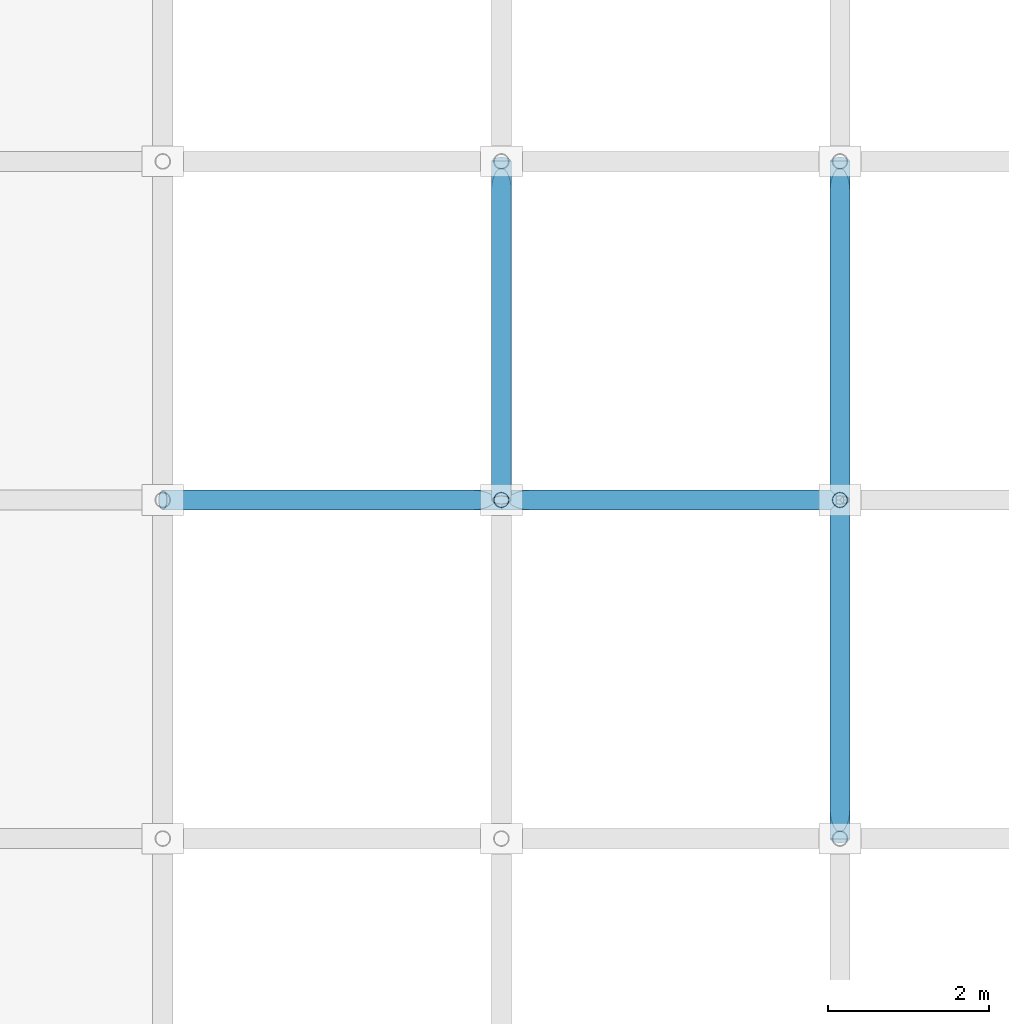
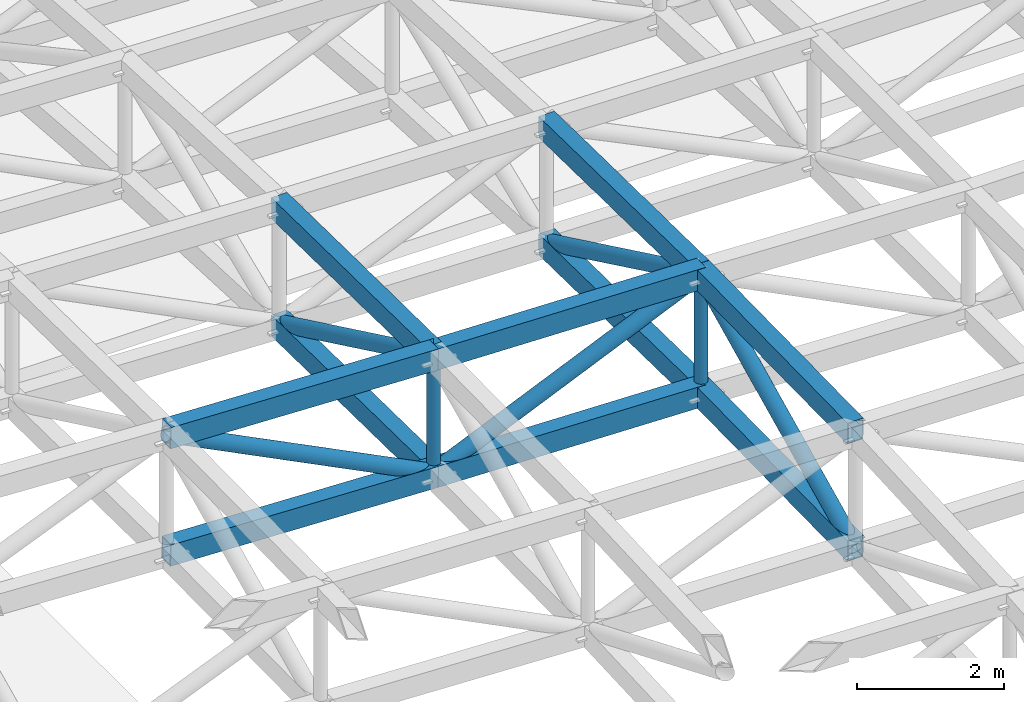
# One storey, part 29 of 111: 17 members.
"""IFC4 building model written with IfcOpenShell, lengths in metres."""

from ifc_helpers import new_model, si_unit, direction, frame, origin, origin_2d, place, context, subcontext, project, spatial, hollow_rectangle, hollow_circle, extrude, material, material_profile, profile_set, type_object, element, save


model = new_model("IFC4")

# Units and contexts
model_context = context("Model", 3, precision=1e-05, world=origin(), true_north=direction((0.0, 1.0)))
body_context = subcontext(model_context, "Body", "Model", "MODEL_VIEW")
ifc_project = project(units=[si_unit("LENGTHUNIT", "METRE"), si_unit("AREAUNIT", "SQUARE_METRE"), si_unit("VOLUMEUNIT", "CUBIC_METRE"), si_unit("PLANEANGLEUNIT", "RADIAN"), si_unit("MASSUNIT", "GRAM", prefix="KILO")], contexts=[model_context])

# Site, building, storey
site_placement = place(None, origin())
site = spatial("IfcSite", under=ifc_project, at=site_placement, CompositionType="ELEMENT")
building_placement = place(site_placement, origin())
building = spatial("IfcBuilding", under=site, at=building_placement, Name="Cumbredor Promenade Congress Hotel", CompositionType="ELEMENT")
storey_placement = place(building_placement, frame((0.0, 0.0, 15.1201171875)))
storey = spatial("IfcBuildingStorey", under=building, at=storey_placement, Name="L04", CompositionType="ELEMENT", Elevation=15.1201171875)

# Members
ifc_material = material(Name="Steel ASTM A500 Grade C", Category="steel")
ifc_material_profile_1 = material_profile(ifc_material, hollow_rectangle(XDim=0.25, YDim=0.35009765625, WallThickness=0.01611328125, at=origin_2d()), Name="HSS 350x250x16")
ifc_profile_set_1 = profile_set([ifc_material_profile_1], Name="Steel ASTM A500 Grade C")
member_type_1 = type_object("IfcMemberType", Name="Forum Roof Truss Chord", PredefinedType="CHORD", material=ifc_profile_set_1)
for number, where, z_axis, x_axis, name in (
    (1, (117.60009765625, 100.800048828125, 4.916748046875), (0.999258168598, 0.0, -0.038511199545), (0.0, 1.0, 0.0), "Pre-Function and Breakout Meeting Forum X Top Chord 8.6"),
    (2, (117.60009765625, 100.800048828125, 2.966796875), (0.999258168598, 0.0, -0.038511199545), (0.0, 1.0, 0.0), "Pre-Function and Breakout Meeting Forum X Bottom Chord 8.6"),
):
    element("IfcMember", number, at=place(storey_placement, frame(where, z_axis=z_axis, x_axis=x_axis)), inside=storey, type_object=member_type_1, Name=name, PredefinedType="CHORD", context=body_context, shape_type="SweptSolid", body=[
        extrude(hollow_rectangle(XDim=0.25, YDim=0.35009765625, WallThickness=0.01611328125, at=origin_2d()), origin(), (0.0, 0.0, 1.0), 4.203125),
    ])
for number, where, z_axis, x_axis, name in (
    (3, (121.800048828125, 100.800048828125, 4.7548828125), (0.999622221053, 0.0, -0.027484817215), (0.0, 1.0, 0.0), "Pre-Function and Breakout Meeting Forum X Top Chord 9.6"),
    (4, (121.800048828125, 100.800048828125, 2.804931640625), (0.9996206229, 0.0, -0.027542880617), (0.0, 1.0, 0.0), "Pre-Function and Breakout Meeting Forum X Bottom Chord 9.6"),
):
    element("IfcMember", number, at=place(storey_placement, frame(where, z_axis=z_axis, x_axis=x_axis)), inside=storey, type_object=member_type_1, Name=name, PredefinedType="CHORD", context=body_context, shape_type="SweptSolid", body=[
        extrude(hollow_rectangle(XDim=0.25, YDim=0.35009765625, WallThickness=0.01611328125, at=origin_2d()), origin(), (0.0, 0.0, 1.0), 4.20166015625),
    ])
for number, where, z_axis, x_axis, name in (
    (5, (121.800048828125, 100.800048828125, 4.7548828125), (0.0, 0.999878674477, -0.015576788046), (-1.0, 0.0, 0.0), "Pre-Function and Breakout Meeting Forum Y Top Chord 9.6"),
    (6, (121.800048828125, 100.800048828125, 2.804931640625), (0.0, 0.999878674477, -0.015576788046), (-1.0, 0.0, 0.0), "Pre-Function and Breakout Meeting Forum Y Bottom Chord 9.6"),
):
    element("IfcMember", number, at=place(storey_placement, frame(where, z_axis=z_axis, x_axis=x_axis)), inside=storey, type_object=member_type_1, Name=name, PredefinedType="CHORD", context=body_context, shape_type="SweptSolid", body=[
        extrude(hollow_rectangle(XDim=0.25, YDim=0.35009765625, WallThickness=0.01611328125, at=origin_2d()), origin(), (0.0, 0.0, 1.0), 4.200439453125),
    ])
member_1_placement = place(storey_placement, frame((126.0, 96.60009765625, 4.567626953125), z_axis=(0.0, 0.999853997206, 0.017087547241), x_axis=(-1.0, 0.0, 0.0)))
element("IfcMember", 7, at=member_1_placement, inside=storey, type_object=member_type_1, Name="Pre-Function and Breakout Meeting Forum Y Top Chord 10.5", PredefinedType="CHORD", context=body_context, shape_type="SweptSolid", body=[
    extrude(hollow_rectangle(XDim=0.25, YDim=0.35009765625, WallThickness=0.01611328125, at=origin_2d()), origin(), (0.0, 0.0, 1.0), 4.20068359375),
])
member_2_placement = place(storey_placement, frame((126.0, 96.60009765625, 2.61767578125), z_axis=(0.0, 0.999854988518, 0.017029443215), x_axis=(-1.0, 0.0, 0.0)))
element("IfcMember", 8, at=member_2_placement, inside=storey, type_object=member_type_1, Name="Pre-Function and Breakout Meeting Forum Y Bottom Chord 10.5", PredefinedType="CHORD", context=body_context, shape_type="SweptSolid", body=[
    extrude(hollow_rectangle(XDim=0.25, YDim=0.35009765625, WallThickness=0.01611328125, at=origin_2d()), origin(), (0.0, 0.0, 1.0), 4.200439453125),
])
member_3_placement = place(storey_placement, frame((126.0, 100.800048828125, 4.639404296875), z_axis=(0.0, 0.999853997206, -0.017087547241), x_axis=(-1.0, 0.0, 0.0)))
element("IfcMember", 9, at=member_3_placement, inside=storey, type_object=member_type_1, Name="Pre-Function and Breakout Meeting Forum Y Top Chord 10.6", PredefinedType="CHORD", context=body_context, shape_type="SweptSolid", body=[
    extrude(hollow_rectangle(XDim=0.25, YDim=0.35009765625, WallThickness=0.01611328125, at=origin_2d()), origin(), (0.0, 0.0, 1.0), 4.20068359375),
])
member_4_placement = place(storey_placement, frame((126.0, 100.800048828125, 2.689208984375), z_axis=(0.0, 0.999854988518, -0.017029443215), x_axis=(-1.0, 0.0, 0.0)))
element("IfcMember", 10, at=member_4_placement, inside=storey, type_object=member_type_1, Name="Pre-Function and Breakout Meeting Forum Y Bottom Chord 10.6", PredefinedType="CHORD", context=body_context, shape_type="SweptSolid", body=[
    extrude(hollow_rectangle(XDim=0.25, YDim=0.35009765625, WallThickness=0.01611328125, at=origin_2d()), origin(), (0.0, 0.0, 1.0), 4.200439453125),
])
ifc_material_profile_2 = material_profile(ifc_material, hollow_circle(Radius=0.122314453125, WallThickness=0.012451171875, at=origin_2d()), Name="CHS 244.5x12.5")
ifc_profile_set_2 = profile_set([ifc_material_profile_2], Name="Steel ASTM A500 Grade C")
member_type_2 = type_object("IfcMemberType", Name="Space Frame Web Diagonal D2", PredefinedType="BRACE", material=ifc_profile_set_2)
member_5_placement = place(storey_placement, frame((117.60009765625, 100.800048828125, 4.916748046875), z_axis=(0.893417405195, 0.0, -0.449227492585), x_axis=(0.0, 1.0, 0.0)))
element("IfcMember", 11, at=member_5_placement, inside=storey, type_object=member_type_2, Name="Pre-Function and Breakout Meeting Forum X Web Diagonal 8.6", PredefinedType="BRACE", context=body_context, shape_type="SweptSolid", body=[
    extrude(hollow_circle(Radius=0.122314453125, WallThickness=0.012451171875, at=origin_2d()), origin(), (0.0, 0.0, 1.0), 4.700927734375),
])
member_6_placement = place(storey_placement, frame((121.800048828125, 100.800048828125, 2.804931640625), z_axis=(0.916398018243, 0.0, 0.400268250252), x_axis=(0.0, 1.0, 0.0)))
element("IfcMember", 12, at=member_6_placement, inside=storey, type_object=member_type_2, Name="Pre-Function and Breakout Meeting Forum X Web Diagonal 9.6", PredefinedType="BRACE", context=body_context, shape_type="SweptSolid", body=[
    extrude(hollow_circle(Radius=0.122314453125, WallThickness=0.012451171875, at=origin_2d()), origin(), (0.0, 0.0, 1.0), 4.5830078125),
])
member_7_placement = place(storey_placement, frame((121.800048828125, 100.800048828125, 4.7548828125), z_axis=(0.0, 0.901572937792, -0.432627134888), x_axis=(-1.0, 0.0, 0.0)))
element("IfcMember", 13, at=member_7_placement, inside=storey, type_object=member_type_2, Name="Pre-Function and Breakout Meeting Forum Y Web Diagonal 9.6", PredefinedType="BRACE", context=body_context, shape_type="SweptSolid", body=[
    extrude(hollow_circle(Radius=0.122314453125, WallThickness=0.012451171875, at=origin_2d()), origin(), (0.0, 0.0, 1.0), 4.658447265625),
])
for number, where, z_axis, x_axis, name in (
    (14, (126.0, 96.60009765625, 2.61767578125), (0.0, 0.901041094584, 0.433733726923), (-1.0, 0.0, 0.0), "Pre-Function and Breakout Meeting Forum Y Web Diagonal 10.5"),
    (15, (126.0, 100.800048828125, 4.639404296875), (0.0, 0.901041094584, -0.433733726923), (-1.0, 0.0, 0.0), "Pre-Function and Breakout Meeting Forum Y Web Diagonal 10.6"),
):
    element("IfcMember", number, at=place(storey_placement, frame(where, z_axis=z_axis, x_axis=x_axis)), inside=storey, type_object=member_type_2, Name=name, PredefinedType="BRACE", context=body_context, shape_type="SweptSolid", body=[
        extrude(hollow_circle(Radius=0.122314453125, WallThickness=0.012451171875, at=origin_2d()), origin(), (0.0, 0.0, 1.0), 4.6611328125),
    ])
ifc_material_profile_3 = material_profile(ifc_material, hollow_circle(Radius=0.096923828125, WallThickness=0.010009765625, at=origin_2d()), Name="CHS 193.7x10")
ifc_profile_set_3 = profile_set([ifc_material_profile_3], Name="Steel ASTM A500 Grade C")
member_type_3 = type_object("IfcMemberType", Name="Space Frame Web Post P1", PredefinedType="BRACE", material=ifc_profile_set_3)
member_8_placement = place(storey_placement, frame((121.800048828125, 100.800048828125, 2.804931640625), z_axis=(0.0, 0.0, 1.0), x_axis=(1.0, 0.0, 0.0)))
element("IfcMember", 16, at=member_8_placement, inside=storey, type_object=member_type_3, Name="Pre-Function and Breakout Meeting Forum Space Frame Web Post 9.6", PredefinedType="BRACE", context=body_context, shape_type="SweptSolid", body=[
    extrude(hollow_circle(Radius=0.096923828125, WallThickness=0.010009765625, at=origin_2d()), origin(), (0.0, 0.0, 1.0), 1.949951171875),
])
member_9_placement = place(storey_placement, frame((126.0, 100.800048828125, 2.689208984375), z_axis=(0.0, 0.0, 1.0), x_axis=(1.0, 0.0, 0.0)))
element("IfcMember", 17, at=member_9_placement, inside=storey, type_object=member_type_3, Name="Pre-Function and Breakout Meeting Forum Space Frame Web Post 10.6", PredefinedType="BRACE", context=body_context, shape_type="SweptSolid", body=[
    extrude(hollow_circle(Radius=0.096923828125, WallThickness=0.010009765625, at=origin_2d()), origin(), (0.0, 0.0, 1.0), 1.9501953125),
])

save(model, "model.ifc")
